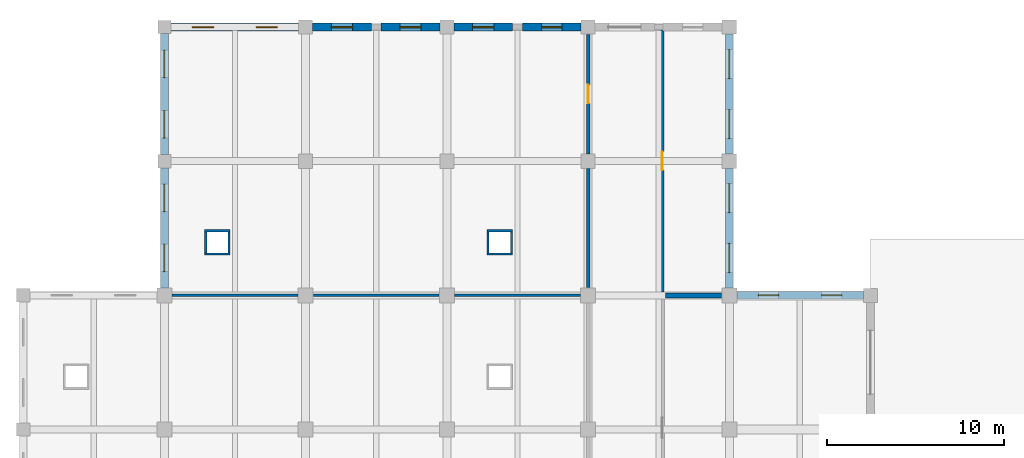
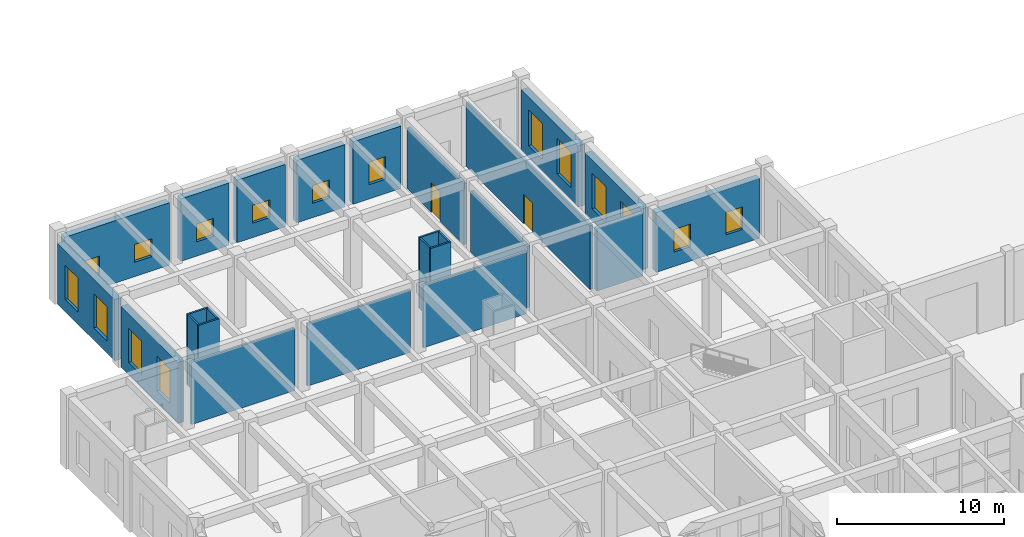
# One storey, part 77 of 95: 25 walls, 16 windows, 2 doors, 18 openings.
"""IFC4 building model written with IfcOpenShell, lengths in metres."""

from ifc_helpers import new_model, si_unit, direction, frame, frame_2d, origin, place, context, subcontext, project, spatial, rectangle, extrude, material, layer, layer_set, type_object, element, fill, save


model = new_model("IFC4")

# Units and contexts
model_context = context("Model", 3, precision=1e-05, world=origin(), true_north=direction((0.0, 1.0)))
body_context = subcontext(model_context, "Body", "Model", "MODEL_VIEW")
ifc_project = project(units=[si_unit("LENGTHUNIT", "METRE"), si_unit("AREAUNIT", "SQUARE_METRE"), si_unit("VOLUMEUNIT", "CUBIC_METRE"), si_unit("PLANEANGLEUNIT", "RADIAN"), si_unit("MASSUNIT", "GRAM", prefix="KILO")], contexts=[model_context])

# Site, building, storey
site_placement = place(None, origin())
site = spatial("IfcSite", under=ifc_project, at=site_placement, CompositionType="ELEMENT")
building_placement = place(site_placement, origin())
building = spatial("IfcBuilding", under=site, at=building_placement, Name="Zantavel Square City Hall", CompositionType="ELEMENT")
storey_placement = place(building_placement, origin())
storey = spatial("IfcBuildingStorey", under=building, at=storey_placement, Name="L01", CompositionType="ELEMENT", Elevation=0.0)

# Walls
ifc_material_1 = material(Name="Concrete C35/45", Category="concrete")
ifc_layer_1 = layer(ifc_material_1, 0.280029296875, Name="Concrete C35/45")
ifc_layer_set_1 = layer_set([ifc_layer_1], Name="Concrete C35/45")
wall_type_1 = type_object("IfcWallType", Name="Archive & Substation Vault Wall 280mm", PredefinedType="STANDARD", material=ifc_layer_set_1)
wall_1_placement = place(storey_placement, frame((52.389892578125, 98.800048828125, 0.0), z_axis=(0.0, 0.0, 1.0), x_axis=(1.0, 0.0, 0.0)))
element("IfcWall", 1, at=wall_1_placement, inside=storey, type_object=wall_type_1, Name="L01 Interior Wall IW-L01-0101", PredefinedType="STANDARD", context=body_context, shape_type="SweptSolid", body=[
    extrude(rectangle(XDim=3.175048828125, YDim=0.280029296875, at=frame_2d((1.58740234375, 0.0))), origin(), (0.0, 0.0, 1.0), 4.56005859375),
])
ifc_material_2 = material(Name="Gypsum acoustic stud assembly", Category="masonry")
ifc_layer_2 = layer(ifc_material_2, 0.14990234375, Name="Gypsum acoustic stud assembly")
ifc_layer_set_2 = layer_set([ifc_layer_2], Name="Gypsum acoustic stud assembly")
wall_type_2 = type_object("IfcWallType", Name="Department Office Partition 150mm", PredefinedType="PARTITIONING", material=ifc_layer_set_2)
for number, where, z_axis, x_axis, name in (
    (2, (24.43505859375, 98.800048828125, 0.0), (0.0, 0.0, 1.0), (1.0, 0.0, 0.0), "L01 Interior Wall IW-L01-0114"),
    (3, (32.43505859375, 98.800048828125, 0.0), (0.0, 0.0, 1.0), (1.0, 0.0, 0.0), "L01 Interior Wall IW-L01-0115"),
    (4, (40.43505859375, 98.800048828125, 0.0), (0.0, 0.0, 1.0), (1.0, 0.0, 0.0), "L01 Interior Wall IW-L01-0116"),
):
    element("IfcWall", number, at=place(storey_placement, frame(where, z_axis=z_axis, x_axis=x_axis)), inside=storey, type_object=wall_type_2, Name=name, PredefinedType="PARTITIONING", context=body_context, shape_type="SweptSolid", body=[
        extrude(rectangle(XDim=7.1298828125, YDim=0.14990234375, at=frame_2d((3.56494140625, 0.0))), origin(), (0.0, 0.0, 1.0), 4.56005859375),
    ])
ifc_material_3 = material(Name="Cantera volcanic tuff stone", Category="masonry")
ifc_layer_3 = layer(ifc_material_3, 0.199951171875, Name="Cantera volcanic tuff stone")
ifc_layer_set_3 = layer_set([ifc_layer_3], Name="Cantera volcanic tuff stone")
wall_type_3 = type_object("IfcWallType", Name="Exit Corridor Rated Wall 200mm", PredefinedType="STANDARD", material=ifc_layer_set_3)
wall_2_placement = place(storey_placement, frame((48.0, 99.235107421875, 0.0), z_axis=(0.0, 0.0, 1.0), x_axis=(0.0, 1.0, 0.0)))
element("IfcWall", 5, at=wall_2_placement, inside=storey, type_object=wall_type_3, Name="L01 Interior Wall IW-L01-0073", PredefinedType="STANDARD", context=body_context, shape_type="SweptSolid", body=[
    extrude(rectangle(XDim=6.7548828125, YDim=0.199951171875, at=frame_2d((3.37744140625, 0.0))), origin(), (0.0, 0.0, 1.0), 4.4599609375),
])

# Wall, opening, door
wall_3_placement = place(storey_placement, frame((48.0, 106.81005859375, 0.0), z_axis=(0.0, 0.0, 1.0), x_axis=(0.0, 1.0, 0.0)))
wall_3 = element("IfcWall", 6, at=wall_3_placement, inside=storey, type_object=wall_type_3, Name="L01 Interior Wall IW-L01-0074", PredefinedType="STANDARD", context=body_context, shape_type="SweptSolid", body=[
    extrude(rectangle(XDim=6.780029296875, YDim=0.199951171875, at=frame_2d((3.39013671875, 0.0))), origin(), (0.0, 0.0, 1.0), 4.4599609375),
])
opening_1_placement = place(wall_3_placement, frame((2.864990234375, 0.0, 0.0)))
opening_1 = element("IfcOpeningElement", 7, at=opening_1_placement, cuts=wall_3, Name="Opening D-0031", PredefinedType="OPENING", context=body_context, shape_type="SweptSolid", body=[
    extrude(rectangle(XDim=1.050048828125, YDim=2.14990234375, at=frame_2d((0.52490234375, 1.074951171875))), frame((0.0, 0.10986328125, 0.0), z_axis=(0.0, -1.0, 0.0), x_axis=(1.0, 0.0, 0.0)), (0.0, 0.0, 1.0), 0.219970703125),
])
ifc_material_4 = material(Name="Solid oak hardwood", Category="wood")
door_type = type_object("IfcDoorType", Name="Corridor Office Oak Fire Door 1050x2150 FD60S", OperationType="NOTDEFINED", PredefinedType="DOOR", material=ifc_material_4)
door_1_placement = place(opening_1_placement, origin())
door_1 = element("IfcDoor", 8, at=door_1_placement, inside=storey, type_object=door_type, Name="L01 General Services and Fleet Office Door", OperationType="SINGLE_SWING_LEFT", OverallHeight=2.14990234375, OverallWidth=1.050048828125, PredefinedType="DOOR", context=body_context, shape_type="SweptSolid", body=[
    extrude(rectangle(XDim=1.050048828125, YDim=2.14990234375, at=frame_2d((0.52490234375, 1.074951171875))), frame((0.0, 0.02490234375, 0.0), z_axis=(0.0, -1.0, 0.0), x_axis=(1.0, 0.0, 0.0)), (0.0, 0.0, 1.0), 0.050048828125),
])
fill(opening_1, door_1)

wall_4_placement = place(storey_placement, frame((52.199951171875, 113.840087890625, 0.0), z_axis=(0.0, 0.0, 1.0), x_axis=(0.0, -1.0, 0.0)))
wall_4 = element("IfcWall", 9, at=wall_4_placement, inside=storey, type_object=wall_type_3, Name="L01 Interior Wall IW-L01-0075", PredefinedType="STANDARD", context=body_context, shape_type="SweptSolid", body=[
    extrude(rectangle(XDim=14.85009765625, YDim=0.199951171875, at=frame_2d((7.425048828125, 0.0))), origin(), (0.0, 0.0, 1.0), 4.659912109375),
])
opening_2_placement = place(wall_4_placement, frame((6.89990234375, 0.0, 0.0)))
opening_2 = element("IfcOpeningElement", 10, at=opening_2_placement, cuts=wall_4, Name="Opening D-0032", PredefinedType="OPENING", context=body_context, shape_type="SweptSolid", body=[
    extrude(rectangle(XDim=1.050048828125, YDim=2.14990234375, at=frame_2d((0.52490234375, 1.074951171875))), frame((0.0, 0.10986328125, 0.0), z_axis=(0.0, -1.0, 0.0), x_axis=(1.0, 0.0, 0.0)), (0.0, 0.0, 1.0), 0.219970703125),
])
door_2_placement = place(opening_2_placement, origin())
door_2 = element("IfcDoor", 11, at=door_2_placement, inside=storey, type_object=door_type, Name="L01 L01 Municipal Support Office 5 Door", OperationType="SINGLE_SWING_RIGHT", OverallHeight=2.14990234375, OverallWidth=1.050048828125, PredefinedType="DOOR", context=body_context, shape_type="SweptSolid", body=[
    extrude(rectangle(XDim=1.050048828125, YDim=2.14990234375, at=frame_2d((0.52490234375, 1.074951171875))), frame((0.0, 0.02490234375, 0.0), z_axis=(0.0, -1.0, 0.0), x_axis=(1.0, 0.0, 0.0)), (0.0, 0.0, 1.0), 0.050048828125),
])
fill(opening_2, door_2)

# Walls
ifc_layer_4 = layer(ifc_material_1, 0.1201171875, Name="Concrete C35/45")
ifc_layer_set_4 = layer_set([ifc_layer_4], Name="Concrete C35/45")
wall_type_4 = type_object("IfcWallType", Name="Riser Chase Wall RC 120mm C35/45", PredefinedType="PARTITIONING", material=ifc_layer_set_4)
wall_5_placement = place(storey_placement, frame((27.719970703125, 101.139892578125, 0.0), z_axis=(0.0, 0.0, 1.0), x_axis=(-1.0, 0.0, 0.0)))
element("IfcWall", 12, at=wall_5_placement, inside=storey, type_object=wall_type_4, Name="L01 MEP Riser 29 Wall S", PredefinedType="PARTITIONING", context=body_context, shape_type="SweptSolid", body=[
    extrude(rectangle(XDim=1.43994140625, YDim=0.1201171875, at=frame_2d((0.719970703125, 0.0))), origin(), (0.0, 0.0, 1.0), 5.159912109375),
])
wall_6_placement = place(storey_placement, frame((26.340087890625, 101.199951171875, 0.0), z_axis=(0.0, 0.0, 1.0), x_axis=(0.0, 1.0, 0.0)))
element("IfcWall", 13, at=wall_6_placement, inside=storey, type_object=wall_type_4, Name="L01 MEP Riser 29 Wall W", PredefinedType="PARTITIONING", context=body_context, shape_type="SweptSolid", body=[
    extrude(rectangle(XDim=1.199951171875, YDim=0.1201171875, at=frame_2d((0.60009765625, 0.0))), origin(), (0.0, 0.0, 1.0), 5.159912109375),
])
wall_7_placement = place(storey_placement, frame((26.280029296875, 102.4599609375, 0.0), z_axis=(0.0, 0.0, 1.0), x_axis=(1.0, 0.0, 0.0)))
element("IfcWall", 14, at=wall_7_placement, inside=storey, type_object=wall_type_4, Name="L01 MEP Riser 29 Wall N", PredefinedType="PARTITIONING", context=body_context, shape_type="SweptSolid", body=[
    extrude(rectangle(XDim=1.43994140625, YDim=0.1201171875, at=frame_2d((0.719970703125, 0.0))), origin(), (0.0, 0.0, 1.0), 5.159912109375),
])
wall_8_placement = place(storey_placement, frame((27.659912109375, 102.39990234375, 0.0), z_axis=(0.0, 0.0, 1.0), x_axis=(0.0, -1.0, 0.0)))
element("IfcWall", 15, at=wall_8_placement, inside=storey, type_object=wall_type_4, Name="L01 MEP Riser 29 Wall E", PredefinedType="PARTITIONING", context=body_context, shape_type="SweptSolid", body=[
    extrude(rectangle(XDim=1.199951171875, YDim=0.1201171875, at=frame_2d((0.60009765625, 0.0))), origin(), (0.0, 0.0, 1.0), 5.159912109375),
])
wall_9_placement = place(storey_placement, frame((43.719970703125, 101.139892578125, 0.0), z_axis=(0.0, 0.0, 1.0), x_axis=(-1.0, 0.0, 0.0)))
element("IfcWall", 16, at=wall_9_placement, inside=storey, type_object=wall_type_4, Name="L01 MEP Riser 30 Wall S", PredefinedType="PARTITIONING", context=body_context, shape_type="SweptSolid", body=[
    extrude(rectangle(XDim=1.43994140625, YDim=0.1201171875, at=frame_2d((0.719970703125, 0.0))), origin(), (0.0, 0.0, 1.0), 5.159912109375),
])
wall_10_placement = place(storey_placement, frame((42.340087890625, 101.199951171875, 0.0), z_axis=(0.0, 0.0, 1.0), x_axis=(0.0, 1.0, 0.0)))
element("IfcWall", 17, at=wall_10_placement, inside=storey, type_object=wall_type_4, Name="L01 MEP Riser 30 Wall W", PredefinedType="PARTITIONING", context=body_context, shape_type="SweptSolid", body=[
    extrude(rectangle(XDim=1.199951171875, YDim=0.1201171875, at=frame_2d((0.60009765625, 0.0))), origin(), (0.0, 0.0, 1.0), 5.159912109375),
])
wall_11_placement = place(storey_placement, frame((42.280029296875, 102.4599609375, 0.0), z_axis=(0.0, 0.0, 1.0), x_axis=(1.0, 0.0, 0.0)))
element("IfcWall", 18, at=wall_11_placement, inside=storey, type_object=wall_type_4, Name="L01 MEP Riser 30 Wall N", PredefinedType="PARTITIONING", context=body_context, shape_type="SweptSolid", body=[
    extrude(rectangle(XDim=1.43994140625, YDim=0.1201171875, at=frame_2d((0.719970703125, 0.0))), origin(), (0.0, 0.0, 1.0), 5.159912109375),
])
wall_12_placement = place(storey_placement, frame((43.659912109375, 102.39990234375, 0.0), z_axis=(0.0, 0.0, 1.0), x_axis=(0.0, -1.0, 0.0)))
element("IfcWall", 19, at=wall_12_placement, inside=storey, type_object=wall_type_4, Name="L01 MEP Riser 30 Wall E", PredefinedType="PARTITIONING", context=body_context, shape_type="SweptSolid", body=[
    extrude(rectangle(XDim=1.199951171875, YDim=0.1201171875, at=frame_2d((0.60009765625, 0.0))), origin(), (0.0, 0.0, 1.0), 5.159912109375),
])

# Wall, openings, windows
ifc_material_5 = material(Name="Tezontle volcanic basaltic scoria stone", Category="masonry")
ifc_layer_5 = layer(ifc_material_5, 0.43994140625, Name="Tezontle volcanic basaltic scoria stone")
ifc_layer_set_5 = layer_set([ifc_layer_5], Name="Tezontle volcanic basaltic scoria stone")
wall_type_5 = type_object("IfcWallType", Name="Tezontle Rusticated Plinth Wall 440mm", PredefinedType="STANDARD", material=ifc_layer_set_5)
wall_13_placement = place(storey_placement, frame((24.0, 99.22509765625, 0.0), z_axis=(0.0, 0.0, 1.0), x_axis=(0.0, 1.0, 0.0)))
wall_13 = element("IfcWall", 20, at=wall_13_placement, inside=storey, type_object=wall_type_5, Name="L01 Exterior Wall EW-L01-009", PredefinedType="STANDARD", context=body_context, shape_type="SweptSolid", body=[
    extrude(rectangle(XDim=6.7998046875, YDim=0.43994140625, at=frame_2d((3.39990234375, 0.0))), origin(), (0.0, 0.0, 1.0), 4.4599609375),
])
opening_3_placement = place(wall_13_placement, frame((0.925048828125, 0.0, 0.89990234375)))
opening_3 = element("IfcOpeningElement", 21, at=opening_3_placement, cuts=wall_13, Name="Opening W-016", PredefinedType="OPENING", context=body_context, shape_type="SweptSolid", body=[
    extrude(rectangle(XDim=1.550048828125, YDim=2.5, at=frame_2d((0.77490234375, 1.25))), frame((0.0, 0.22998046875, 0.0), z_axis=(0.0, -1.0, 0.0), x_axis=(1.0, 0.0, 0.0)), (0.0, 0.0, 1.0), 0.4599609375),
])
opening_4_placement = place(wall_13_placement, frame((4.324951171875, 0.0, 0.89990234375)))
opening_4 = element("IfcOpeningElement", 22, at=opening_4_placement, cuts=wall_13, Name="Opening W-017", PredefinedType="OPENING", context=body_context, shape_type="SweptSolid", body=[
    extrude(rectangle(XDim=1.550048828125, YDim=2.5, at=frame_2d((0.77490234375, 1.25))), frame((0.0, 0.22998046875, 0.0), z_axis=(0.0, -1.0, 0.0), x_axis=(1.0, 0.0, 0.0)), (0.0, 0.0, 1.0), 0.4599609375),
])
ifc_material_6 = material(Name="Tempered safety glass low-E double glazing", Category="glass")
window_type_1 = type_object("IfcWindowType", Name="Window Ground Annex 1550x2500", PartitioningType="DOUBLE_PANEL_VERTICAL", PredefinedType="WINDOW", material=ifc_material_6)
window_1_placement = place(opening_3_placement, origin())
window_1 = element("IfcWindow", 23, at=window_1_placement, inside=storey, type_object=window_type_1, Name="L01 Window W-016", OverallHeight=2.5, OverallWidth=1.550048828125, PartitioningType="DOUBLE_PANEL_VERTICAL", PredefinedType="WINDOW", context=body_context, shape_type="SweptSolid", body=[
    extrude(rectangle(XDim=1.550048828125, YDim=2.5, at=frame_2d((0.77490234375, 1.25))), frame((0.0, 0.030029296875, 0.0), z_axis=(0.0, -1.0, 0.0), x_axis=(1.0, 0.0, 0.0)), (0.0, 0.0, 1.0), 0.06005859375),
])
fill(opening_3, window_1)
window_2_placement = place(opening_4_placement, origin())
window_2 = element("IfcWindow", 24, at=window_2_placement, inside=storey, type_object=window_type_1, Name="L01 Window W-017", OverallHeight=2.5, OverallWidth=1.550048828125, PartitioningType="DOUBLE_PANEL_VERTICAL", PredefinedType="WINDOW", context=body_context, shape_type="SweptSolid", body=[
    extrude(rectangle(XDim=1.550048828125, YDim=2.5, at=frame_2d((0.77490234375, 1.25))), frame((0.0, 0.030029296875, 0.0), z_axis=(0.0, -1.0, 0.0), x_axis=(1.0, 0.0, 0.0)), (0.0, 0.0, 1.0), 0.06005859375),
])
fill(opening_4, window_2)

wall_14_placement = place(storey_placement, frame((24.0, 106.77490234375, 0.0), z_axis=(0.0, 0.0, 1.0), x_axis=(0.0, 1.0, 0.0)))
wall_14 = element("IfcWall", 25, at=wall_14_placement, inside=storey, type_object=wall_type_5, Name="L01 Exterior Wall EW-L01-010", PredefinedType="STANDARD", context=body_context, shape_type="SweptSolid", body=[
    extrude(rectangle(XDim=6.85009765625, YDim=0.43994140625, at=frame_2d((3.425048828125, 0.0))), origin(), (0.0, 0.0, 1.0), 4.4599609375),
])
opening_5_placement = place(wall_14_placement, frame((0.9375, 0.0, 0.89990234375)))
opening_5 = element("IfcOpeningElement", 26, at=opening_5_placement, cuts=wall_14, Name="Opening W-018", PredefinedType="OPENING", context=body_context, shape_type="SweptSolid", body=[
    extrude(rectangle(XDim=1.550048828125, YDim=2.5, at=frame_2d((0.77490234375, 1.25))), frame((0.0, 0.22998046875, 0.0), z_axis=(0.0, -1.0, 0.0), x_axis=(1.0, 0.0, 0.0)), (0.0, 0.0, 1.0), 0.4599609375),
])
opening_6_placement = place(wall_14_placement, frame((4.362548828125, 0.0, 0.89990234375)))
opening_6 = element("IfcOpeningElement", 27, at=opening_6_placement, cuts=wall_14, Name="Opening W-019", PredefinedType="OPENING", context=body_context, shape_type="SweptSolid", body=[
    extrude(rectangle(XDim=1.550048828125, YDim=2.5, at=frame_2d((0.77490234375, 1.25))), frame((0.0, 0.22998046875, 0.0), z_axis=(0.0, -1.0, 0.0), x_axis=(1.0, 0.0, 0.0)), (0.0, 0.0, 1.0), 0.4599609375),
])
window_3_placement = place(opening_5_placement, origin())
window_3 = element("IfcWindow", 28, at=window_3_placement, inside=storey, type_object=window_type_1, Name="L01 Window W-018", OverallHeight=2.5, OverallWidth=1.550048828125, PartitioningType="DOUBLE_PANEL_VERTICAL", PredefinedType="WINDOW", context=body_context, shape_type="SweptSolid", body=[
    extrude(rectangle(XDim=1.550048828125, YDim=2.5, at=frame_2d((0.77490234375, 1.25))), frame((0.0, 0.030029296875, 0.0), z_axis=(0.0, -1.0, 0.0), x_axis=(1.0, 0.0, 0.0)), (0.0, 0.0, 1.0), 0.06005859375),
])
fill(opening_5, window_3)
window_4_placement = place(opening_6_placement, origin())
window_4 = element("IfcWindow", 29, at=window_4_placement, inside=storey, type_object=window_type_1, Name="L01 Window W-019", OverallHeight=2.5, OverallWidth=1.550048828125, PartitioningType="DOUBLE_PANEL_VERTICAL", PredefinedType="WINDOW", context=body_context, shape_type="SweptSolid", body=[
    extrude(rectangle(XDim=1.550048828125, YDim=2.5, at=frame_2d((0.77490234375, 1.25))), frame((0.0, 0.030029296875, 0.0), z_axis=(0.0, -1.0, 0.0), x_axis=(1.0, 0.0, 0.0)), (0.0, 0.0, 1.0), 0.06005859375),
])
fill(opening_6, window_4)

wall_15_placement = place(storey_placement, frame((24.375, 114.0, 0.0), z_axis=(0.0, 0.0, 1.0), x_axis=(1.0, 0.0, 0.0)))
wall_15 = element("IfcWall", 30, at=wall_15_placement, inside=storey, type_object=wall_type_5, Name="L01 Exterior Wall EW-L01-011", PredefinedType="STANDARD", context=body_context, shape_type="SweptSolid", body=[
    extrude(rectangle(XDim=7.22509765625, YDim=0.43994140625, at=frame_2d((3.612548828125, 0.0))), origin(), (0.0, 0.0, 1.0), 4.56005859375),
])
opening_7_placement = place(wall_15_placement, frame((1.206298828125, 0.0, 1.050048828125)))
opening_7 = element("IfcOpeningElement", 31, at=opening_7_placement, cuts=wall_15, Name="Opening W-020", PredefinedType="OPENING", context=body_context, shape_type="SweptSolid", body=[
    extrude(rectangle(XDim=1.199951171875, YDim=1.300048828125, at=frame_2d((0.60009765625, 0.64990234375))), frame((0.0, 0.22998046875, 0.0), z_axis=(0.0, -1.0, 0.0), x_axis=(1.0, 0.0, 0.0)), (0.0, 0.0, 1.0), 0.4599609375),
])
opening_8_placement = place(wall_15_placement, frame((4.81884765625, 0.0, 1.050048828125)))
opening_8 = element("IfcOpeningElement", 32, at=opening_8_placement, cuts=wall_15, Name="Opening W-021", PredefinedType="OPENING", context=body_context, shape_type="SweptSolid", body=[
    extrude(rectangle(XDim=1.199951171875, YDim=1.300048828125, at=frame_2d((0.60009765625, 0.64990234375))), frame((0.0, 0.22998046875, 0.0), z_axis=(0.0, -1.0, 0.0), x_axis=(1.0, 0.0, 0.0)), (0.0, 0.0, 1.0), 0.4599609375),
])
window_type_2 = type_object("IfcWindowType", Name="Window Mailroom Clerestory 1200x1300", PartitioningType="SINGLE_PANEL", PredefinedType="WINDOW", material=ifc_material_6)
window_5_placement = place(opening_7_placement, origin())
window_5 = element("IfcWindow", 33, at=window_5_placement, inside=storey, type_object=window_type_2, Name="L01 Window W-020", OverallHeight=1.300048828125, OverallWidth=1.199951171875, PartitioningType="SINGLE_PANEL", PredefinedType="WINDOW", context=body_context, shape_type="SweptSolid", body=[
    extrude(rectangle(XDim=1.199951171875, YDim=1.300048828125, at=frame_2d((0.60009765625, 0.64990234375))), frame((0.0, 0.030029296875, 0.0), z_axis=(0.0, -1.0, 0.0), x_axis=(1.0, 0.0, 0.0)), (0.0, 0.0, 1.0), 0.06005859375),
])
fill(opening_7, window_5)
window_6_placement = place(opening_8_placement, origin())
window_6 = element("IfcWindow", 34, at=window_6_placement, inside=storey, type_object=window_type_2, Name="L01 Window W-021", OverallHeight=1.300048828125, OverallWidth=1.199951171875, PartitioningType="SINGLE_PANEL", PredefinedType="WINDOW", context=body_context, shape_type="SweptSolid", body=[
    extrude(rectangle(XDim=1.199951171875, YDim=1.300048828125, at=frame_2d((0.60009765625, 0.64990234375))), frame((0.0, 0.030029296875, 0.0), z_axis=(0.0, -1.0, 0.0), x_axis=(1.0, 0.0, 0.0)), (0.0, 0.0, 1.0), 0.06005859375),
])
fill(opening_8, window_6)

# Wall, opening, window
wall_16_placement = place(storey_placement, frame((32.39990234375, 114.0, 0.0), z_axis=(0.0, 0.0, 1.0), x_axis=(1.0, 0.0, 0.0)))
wall_16 = element("IfcWall", 35, at=wall_16_placement, inside=storey, type_object=wall_type_5, Name="L01 Exterior Wall EW-L01-012", PredefinedType="STANDARD", context=body_context, shape_type="SweptSolid", body=[
    extrude(rectangle(XDim=3.3251953125, YDim=0.43994140625, at=frame_2d((1.66259765625, 0.0))), origin(), (0.0, 0.0, 1.0), 4.56005859375),
])
opening_9_placement = place(wall_16_placement, frame((1.0625, 0.0, 1.050048828125)))
opening_9 = element("IfcOpeningElement", 36, at=opening_9_placement, cuts=wall_16, Name="Opening W-022", PredefinedType="OPENING", context=body_context, shape_type="SweptSolid", body=[
    extrude(rectangle(XDim=1.199951171875, YDim=1.300048828125, at=frame_2d((0.60009765625, 0.64990234375))), frame((0.0, 0.22998046875, 0.0), z_axis=(0.0, -1.0, 0.0), x_axis=(1.0, 0.0, 0.0)), (0.0, 0.0, 1.0), 0.4599609375),
])
window_7_placement = place(opening_9_placement, origin())
window_7 = element("IfcWindow", 37, at=window_7_placement, inside=storey, type_object=window_type_2, Name="L01 Window W-022", OverallHeight=1.300048828125, OverallWidth=1.199951171875, PartitioningType="SINGLE_PANEL", PredefinedType="WINDOW", context=body_context, shape_type="SweptSolid", body=[
    extrude(rectangle(XDim=1.199951171875, YDim=1.300048828125, at=frame_2d((0.60009765625, 0.64990234375))), frame((0.0, 0.030029296875, 0.0), z_axis=(0.0, -1.0, 0.0), x_axis=(1.0, 0.0, 0.0)), (0.0, 0.0, 1.0), 0.06005859375),
])
fill(opening_9, window_7)

wall_17_placement = place(storey_placement, frame((36.27490234375, 114.0, 0.0), z_axis=(0.0, 0.0, 1.0), x_axis=(1.0, 0.0, 0.0)))
wall_17 = element("IfcWall", 38, at=wall_17_placement, inside=storey, type_object=wall_type_5, Name="L01 Exterior Wall EW-L01-013", PredefinedType="STANDARD", context=body_context, shape_type="SweptSolid", body=[
    extrude(rectangle(XDim=3.3251953125, YDim=0.43994140625, at=frame_2d((1.66259765625, 0.0))), origin(), (0.0, 0.0, 1.0), 4.56005859375),
])
opening_10_placement = place(wall_17_placement, frame((1.0625, 0.0, 1.050048828125)))
opening_10 = element("IfcOpeningElement", 39, at=opening_10_placement, cuts=wall_17, Name="Opening W-023", PredefinedType="OPENING", context=body_context, shape_type="SweptSolid", body=[
    extrude(rectangle(XDim=1.199951171875, YDim=1.300048828125, at=frame_2d((0.60009765625, 0.64990234375))), frame((0.0, 0.22998046875, 0.0), z_axis=(0.0, -1.0, 0.0), x_axis=(1.0, 0.0, 0.0)), (0.0, 0.0, 1.0), 0.4599609375),
])
window_8_placement = place(opening_10_placement, origin())
window_8 = element("IfcWindow", 40, at=window_8_placement, inside=storey, type_object=window_type_2, Name="L01 Window W-023", OverallHeight=1.300048828125, OverallWidth=1.199951171875, PartitioningType="SINGLE_PANEL", PredefinedType="WINDOW", context=body_context, shape_type="SweptSolid", body=[
    extrude(rectangle(XDim=1.199951171875, YDim=1.300048828125, at=frame_2d((0.60009765625, 0.64990234375))), frame((0.0, 0.030029296875, 0.0), z_axis=(0.0, -1.0, 0.0), x_axis=(1.0, 0.0, 0.0)), (0.0, 0.0, 1.0), 0.06005859375),
])
fill(opening_10, window_8)

wall_18_placement = place(storey_placement, frame((40.39990234375, 114.0, 0.0), z_axis=(0.0, 0.0, 1.0), x_axis=(1.0, 0.0, 0.0)))
wall_18 = element("IfcWall", 41, at=wall_18_placement, inside=storey, type_object=wall_type_5, Name="L01 Exterior Wall EW-L01-014", PredefinedType="STANDARD", context=body_context, shape_type="SweptSolid", body=[
    extrude(rectangle(XDim=3.3251953125, YDim=0.43994140625, at=frame_2d((1.66259765625, 0.0))), origin(), (0.0, 0.0, 1.0), 4.56005859375),
])
opening_11_placement = place(wall_18_placement, frame((1.0625, 0.0, 1.050048828125)))
opening_11 = element("IfcOpeningElement", 42, at=opening_11_placement, cuts=wall_18, Name="Opening W-024", PredefinedType="OPENING", context=body_context, shape_type="SweptSolid", body=[
    extrude(rectangle(XDim=1.199951171875, YDim=1.300048828125, at=frame_2d((0.60009765625, 0.64990234375))), frame((0.0, 0.22998046875, 0.0), z_axis=(0.0, -1.0, 0.0), x_axis=(1.0, 0.0, 0.0)), (0.0, 0.0, 1.0), 0.4599609375),
])
window_9_placement = place(opening_11_placement, origin())
window_9 = element("IfcWindow", 43, at=window_9_placement, inside=storey, type_object=window_type_2, Name="L01 Window W-024", OverallHeight=1.300048828125, OverallWidth=1.199951171875, PartitioningType="SINGLE_PANEL", PredefinedType="WINDOW", context=body_context, shape_type="SweptSolid", body=[
    extrude(rectangle(XDim=1.199951171875, YDim=1.300048828125, at=frame_2d((0.60009765625, 0.64990234375))), frame((0.0, 0.030029296875, 0.0), z_axis=(0.0, -1.0, 0.0), x_axis=(1.0, 0.0, 0.0)), (0.0, 0.0, 1.0), 0.06005859375),
])
fill(opening_11, window_9)

wall_19_placement = place(storey_placement, frame((44.27490234375, 114.0, 0.0), z_axis=(0.0, 0.0, 1.0), x_axis=(1.0, 0.0, 0.0)))
wall_19 = element("IfcWall", 44, at=wall_19_placement, inside=storey, type_object=wall_type_5, Name="L01 Exterior Wall EW-L01-015", PredefinedType="STANDARD", context=body_context, shape_type="SweptSolid", body=[
    extrude(rectangle(XDim=3.3251953125, YDim=0.43994140625, at=frame_2d((1.66259765625, 0.0))), origin(), (0.0, 0.0, 1.0), 4.56005859375),
])
opening_12_placement = place(wall_19_placement, frame((1.08740234375, 0.0, 1.050048828125)))
opening_12 = element("IfcOpeningElement", 45, at=opening_12_placement, cuts=wall_19, Name="Opening W-025", PredefinedType="OPENING", context=body_context, shape_type="SweptSolid", body=[
    extrude(rectangle(XDim=1.14990234375, YDim=1.64990234375, at=frame_2d((0.574951171875, 0.824951171875))), frame((0.0, 0.22998046875, 0.0), z_axis=(0.0, -1.0, 0.0), x_axis=(1.0, 0.0, 0.0)), (0.0, 0.0, 1.0), 0.4599609375),
])
window_type_3 = type_object("IfcWindowType", Name="Window Ground North Compact 1150x1650", PartitioningType="SINGLE_PANEL", PredefinedType="WINDOW", material=ifc_material_6)
window_10_placement = place(opening_12_placement, origin())
window_10 = element("IfcWindow", 46, at=window_10_placement, inside=storey, type_object=window_type_3, Name="L01 Window W-025", OverallHeight=1.64990234375, OverallWidth=1.14990234375, PartitioningType="SINGLE_PANEL", PredefinedType="WINDOW", context=body_context, shape_type="SweptSolid", body=[
    extrude(rectangle(XDim=1.14990234375, YDim=1.64990234375, at=frame_2d((0.574951171875, 0.824951171875))), frame((0.0, 0.030029296875, 0.0), z_axis=(0.0, -1.0, 0.0), x_axis=(1.0, 0.0, 0.0)), (0.0, 0.0, 1.0), 0.06005859375),
])
fill(opening_12, window_10)

# Wall, openings, windows
wall_20_placement = place(storey_placement, frame((56.0, 113.60009765625, 0.0), z_axis=(0.0, 0.0, 1.0), x_axis=(0.0, -1.0, 0.0)))
wall_20 = element("IfcWall", 47, at=wall_20_placement, inside=storey, type_object=wall_type_5, Name="L01 Exterior Wall EW-L01-018", PredefinedType="STANDARD", context=body_context, shape_type="SweptSolid", body=[
    extrude(rectangle(XDim=6.800048828125, YDim=0.43994140625, at=frame_2d((3.39990234375, 0.0))), origin(), (0.0, 0.0, 1.0), 4.4599609375),
])
opening_13_placement = place(wall_20_placement, frame((0.875, 0.0, 0.89990234375)))
opening_13 = element("IfcOpeningElement", 48, at=opening_13_placement, cuts=wall_20, Name="Opening W-027", PredefinedType="OPENING", context=body_context, shape_type="SweptSolid", body=[
    extrude(rectangle(XDim=1.64990234375, YDim=2.60009765625, at=frame_2d((0.824951171875, 1.300048828125))), frame((0.0, 0.22998046875, 0.0), z_axis=(0.0, -1.0, 0.0), x_axis=(1.0, 0.0, 0.0)), (0.0, 0.0, 1.0), 0.4599609375),
])
opening_14_placement = place(wall_20_placement, frame((4.27490234375, 0.0, 0.89990234375)))
opening_14 = element("IfcOpeningElement", 49, at=opening_14_placement, cuts=wall_20, Name="Opening W-028", PredefinedType="OPENING", context=body_context, shape_type="SweptSolid", body=[
    extrude(rectangle(XDim=1.64990234375, YDim=2.60009765625, at=frame_2d((0.824951171875, 1.300048828125))), frame((0.0, 0.22998046875, 0.0), z_axis=(0.0, -1.0, 0.0), x_axis=(1.0, 0.0, 0.0)), (0.0, 0.0, 1.0), 0.4599609375),
])
window_type_4 = type_object("IfcWindowType", Name="Window Ground Civic Tall 1650x2600", PartitioningType="DOUBLE_PANEL_VERTICAL", PredefinedType="WINDOW", material=ifc_material_6)
window_11_placement = place(opening_13_placement, origin())
window_11 = element("IfcWindow", 50, at=window_11_placement, inside=storey, type_object=window_type_4, Name="L01 Window W-027", OverallHeight=2.60009765625, OverallWidth=1.64990234375, PartitioningType="DOUBLE_PANEL_VERTICAL", PredefinedType="WINDOW", context=body_context, shape_type="SweptSolid", body=[
    extrude(rectangle(XDim=1.64990234375, YDim=2.60009765625, at=frame_2d((0.824951171875, 1.300048828125))), frame((0.0, 0.030029296875, 0.0), z_axis=(0.0, -1.0, 0.0), x_axis=(1.0, 0.0, 0.0)), (0.0, 0.0, 1.0), 0.06005859375),
])
fill(opening_13, window_11)
window_12_placement = place(opening_14_placement, origin())
window_12 = element("IfcWindow", 51, at=window_12_placement, inside=storey, type_object=window_type_4, Name="L01 Window W-028", OverallHeight=2.60009765625, OverallWidth=1.64990234375, PartitioningType="DOUBLE_PANEL_VERTICAL", PredefinedType="WINDOW", context=body_context, shape_type="SweptSolid", body=[
    extrude(rectangle(XDim=1.64990234375, YDim=2.60009765625, at=frame_2d((0.824951171875, 1.300048828125))), frame((0.0, 0.030029296875, 0.0), z_axis=(0.0, -1.0, 0.0), x_axis=(1.0, 0.0, 0.0)), (0.0, 0.0, 1.0), 0.06005859375),
])
fill(opening_14, window_12)

wall_21_placement = place(storey_placement, frame((56.0, 106.0, 0.0), z_axis=(0.0, 0.0, 1.0), x_axis=(0.0, -1.0, 0.0)))
wall_21 = element("IfcWall", 52, at=wall_21_placement, inside=storey, type_object=wall_type_5, Name="L01 Exterior Wall EW-L01-019", PredefinedType="STANDARD", context=body_context, shape_type="SweptSolid", body=[
    extrude(rectangle(XDim=6.77490234375, YDim=0.43994140625, at=frame_2d((3.387451171875, 0.0))), origin(), (0.0, 0.0, 1.0), 4.4599609375),
])
opening_15_placement = place(wall_21_placement, frame((0.868896484375, 0.0, 0.89990234375)))
opening_15 = element("IfcOpeningElement", 53, at=opening_15_placement, cuts=wall_21, Name="Opening W-029", PredefinedType="OPENING", context=body_context, shape_type="SweptSolid", body=[
    extrude(rectangle(XDim=1.64990234375, YDim=2.60009765625, at=frame_2d((0.824951171875, 1.300048828125))), frame((0.0, 0.22998046875, 0.0), z_axis=(0.0, -1.0, 0.0), x_axis=(1.0, 0.0, 0.0)), (0.0, 0.0, 1.0), 0.4599609375),
])
opening_16_placement = place(wall_21_placement, frame((4.25634765625, 0.0, 0.89990234375)))
opening_16 = element("IfcOpeningElement", 54, at=opening_16_placement, cuts=wall_21, Name="Opening W-030", PredefinedType="OPENING", context=body_context, shape_type="SweptSolid", body=[
    extrude(rectangle(XDim=1.64990234375, YDim=2.60009765625, at=frame_2d((0.824951171875, 1.300048828125))), frame((0.0, 0.22998046875, 0.0), z_axis=(0.0, -1.0, 0.0), x_axis=(1.0, 0.0, 0.0)), (0.0, 0.0, 1.0), 0.4599609375),
])
window_13_placement = place(opening_15_placement, origin())
window_13 = element("IfcWindow", 55, at=window_13_placement, inside=storey, type_object=window_type_4, Name="L01 Window W-029", OverallHeight=2.60009765625, OverallWidth=1.64990234375, PartitioningType="DOUBLE_PANEL_VERTICAL", PredefinedType="WINDOW", context=body_context, shape_type="SweptSolid", body=[
    extrude(rectangle(XDim=1.64990234375, YDim=2.60009765625, at=frame_2d((0.824951171875, 1.300048828125))), frame((0.0, 0.030029296875, 0.0), z_axis=(0.0, -1.0, 0.0), x_axis=(1.0, 0.0, 0.0)), (0.0, 0.0, 1.0), 0.06005859375),
])
fill(opening_15, window_13)
window_14_placement = place(opening_16_placement, origin())
window_14 = element("IfcWindow", 56, at=window_14_placement, inside=storey, type_object=window_type_4, Name="L01 Window W-030", OverallHeight=2.60009765625, OverallWidth=1.64990234375, PartitioningType="DOUBLE_PANEL_VERTICAL", PredefinedType="WINDOW", context=body_context, shape_type="SweptSolid", body=[
    extrude(rectangle(XDim=1.64990234375, YDim=2.60009765625, at=frame_2d((0.824951171875, 1.300048828125))), frame((0.0, 0.030029296875, 0.0), z_axis=(0.0, -1.0, 0.0), x_axis=(1.0, 0.0, 0.0)), (0.0, 0.0, 1.0), 0.06005859375),
])
fill(opening_16, window_14)

wall_22_placement = place(storey_placement, frame((56.425048828125, 98.800048828125, 0.0), z_axis=(0.0, 0.0, 1.0), x_axis=(1.0, 0.0, 0.0)))
wall_22 = element("IfcWall", 57, at=wall_22_placement, inside=storey, type_object=wall_type_5, Name="L01 Exterior Wall EW-L01-020", PredefinedType="STANDARD", context=body_context, shape_type="SweptSolid", body=[
    extrude(rectangle(XDim=7.175048828125, YDim=0.43994140625, at=frame_2d((3.58740234375, 0.0))), origin(), (0.0, 0.0, 1.0), 4.360107421875),
])
opening_17_placement = place(wall_22_placement, frame((1.21875, 0.0, 1.050048828125)))
opening_17 = element("IfcOpeningElement", 58, at=opening_17_placement, cuts=wall_22, Name="Opening W-031", PredefinedType="OPENING", context=body_context, shape_type="SweptSolid", body=[
    extrude(rectangle(XDim=1.14990234375, YDim=1.64990234375, at=frame_2d((0.574951171875, 0.824951171875))), frame((0.0, 0.22998046875, 0.0), z_axis=(0.0, -1.0, 0.0), x_axis=(1.0, 0.0, 0.0)), (0.0, 0.0, 1.0), 0.4599609375),
])
opening_18_placement = place(wall_22_placement, frame((4.806396484375, 0.0, 1.050048828125)))
opening_18 = element("IfcOpeningElement", 59, at=opening_18_placement, cuts=wall_22, Name="Opening W-032", PredefinedType="OPENING", context=body_context, shape_type="SweptSolid", body=[
    extrude(rectangle(XDim=1.14990234375, YDim=1.64990234375, at=frame_2d((0.574951171875, 0.824951171875))), frame((0.0, 0.22998046875, 0.0), z_axis=(0.0, -1.0, 0.0), x_axis=(1.0, 0.0, 0.0)), (0.0, 0.0, 1.0), 0.4599609375),
])
window_15_placement = place(opening_17_placement, origin())
window_15 = element("IfcWindow", 60, at=window_15_placement, inside=storey, type_object=window_type_3, Name="L01 Window W-031", OverallHeight=1.64990234375, OverallWidth=1.14990234375, PartitioningType="SINGLE_PANEL", PredefinedType="WINDOW", context=body_context, shape_type="SweptSolid", body=[
    extrude(rectangle(XDim=1.14990234375, YDim=1.64990234375, at=frame_2d((0.574951171875, 0.824951171875))), frame((0.0, 0.030029296875, 0.0), z_axis=(0.0, -1.0, 0.0), x_axis=(1.0, 0.0, 0.0)), (0.0, 0.0, 1.0), 0.06005859375),
])
fill(opening_17, window_15)
window_16_placement = place(opening_18_placement, origin())
window_16 = element("IfcWindow", 61, at=window_16_placement, inside=storey, type_object=window_type_3, Name="L01 Window W-032", OverallHeight=1.64990234375, OverallWidth=1.14990234375, PartitioningType="SINGLE_PANEL", PredefinedType="WINDOW", context=body_context, shape_type="SweptSolid", body=[
    extrude(rectangle(XDim=1.14990234375, YDim=1.64990234375, at=frame_2d((0.574951171875, 0.824951171875))), frame((0.0, 0.030029296875, 0.0), z_axis=(0.0, -1.0, 0.0), x_axis=(1.0, 0.0, 0.0)), (0.0, 0.0, 1.0), 0.06005859375),
])
fill(opening_18, window_16)

save(model, "model.ifc")
